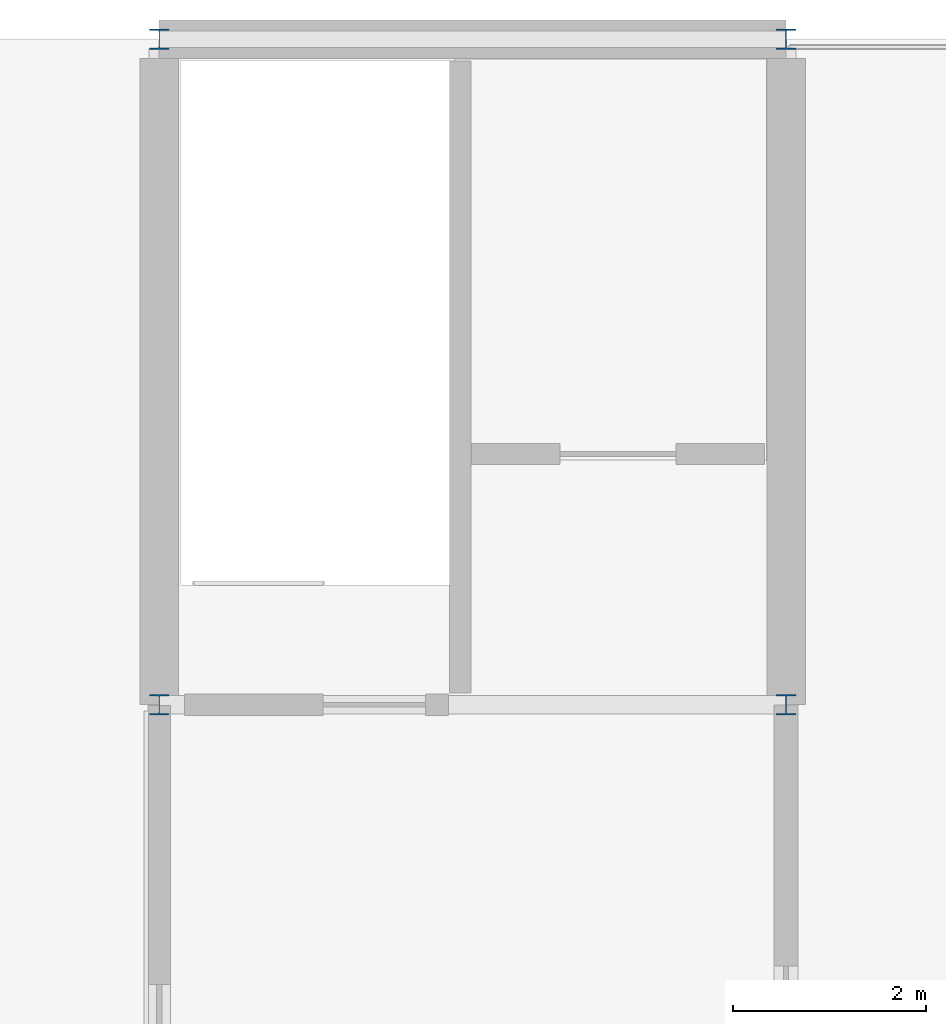
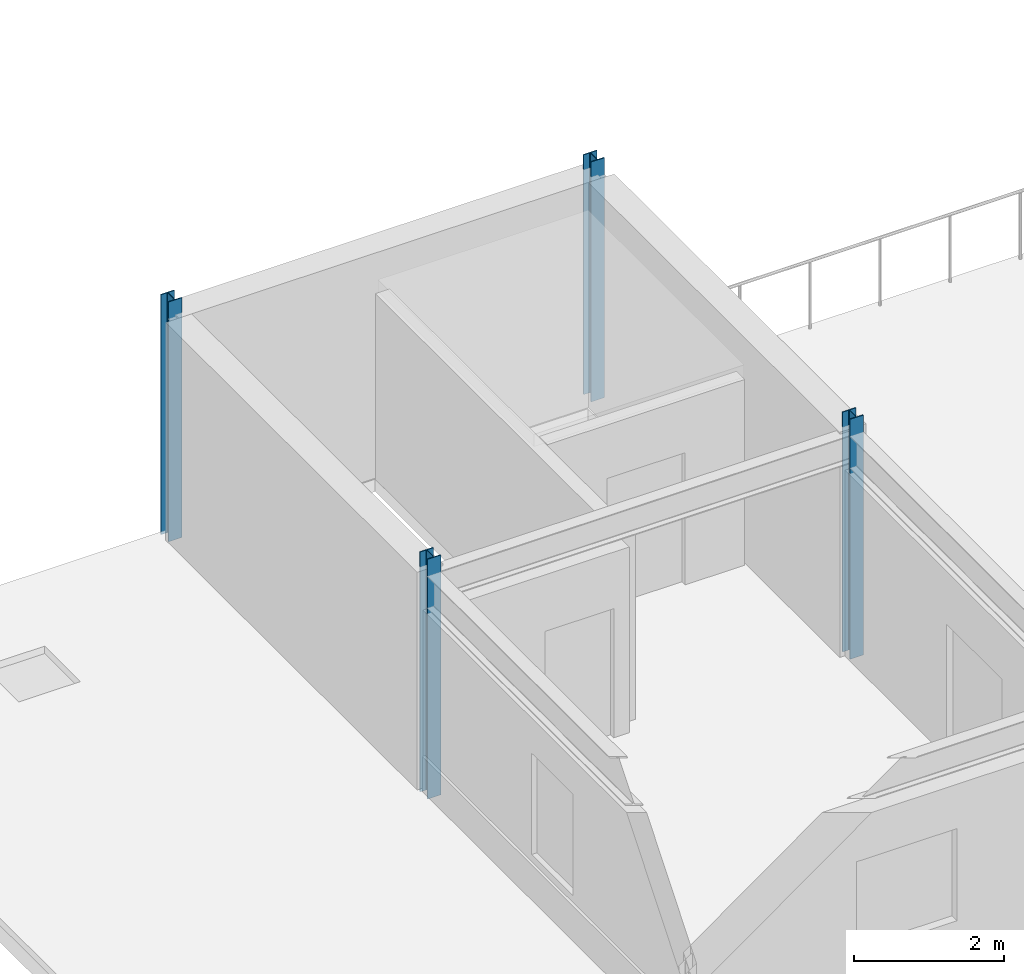
# One storey, part 6 of 26: 4 columns.
"""IFC4 building model written with IfcOpenShell, lengths in metres."""

from ifc_helpers import new_model, si_unit, direction, frame, origin, origin_2d, place, context, subcontext, project, spatial, i_section, extrude, material, material_profile, profile_set, type_object, element, save


model = new_model("IFC4")

# Units and contexts
model_context = context("Model", 3, precision=1e-05, world=origin(), true_north=direction((0.0, 1.0)))
body_context = subcontext(model_context, "Body", "Model", "MODEL_VIEW")
ifc_project = project(units=[si_unit("LENGTHUNIT", "METRE"), si_unit("AREAUNIT", "SQUARE_METRE"), si_unit("VOLUMEUNIT", "CUBIC_METRE"), si_unit("PLANEANGLEUNIT", "RADIAN"), si_unit("MASSUNIT", "GRAM", prefix="KILO")], contexts=[model_context])

# Site, building, storey
site_placement = place(None, origin())
site = spatial("IfcSite", under=ifc_project, at=site_placement, CompositionType="ELEMENT")
building_placement = place(site_placement, origin())
building = spatial("IfcBuilding", under=site, at=building_placement, Name="Trelmorton Wharf Fire Station", CompositionType="ELEMENT")
storey_placement = place(building_placement, frame((0.0, 0.0, 17.39990234375)))
storey = spatial("IfcBuildingStorey", under=building, at=storey_placement, Name="L04", CompositionType="ELEMENT", Elevation=17.39990234375)

# Columns
ifc_material = material(Name="Steel Grade 350", Category="steel")
ifc_material_profile = material_profile(ifc_material, i_section(OverallWidth=0.205078125, OverallDepth=0.2099609375, WebThickness=0.00927734375, FlangeThickness=0.01416015625, FilletRadius=0.011474609375, at=origin_2d()), Name="200UC59.5")
ifc_profile_set = profile_set([ifc_material_profile], Name="Steel Grade 350")
column_type = type_object("IfcColumnType", Name="COL_200UC60", PredefinedType="COLUMN", material=ifc_profile_set)
for number, where, z_axis, x_axis, name in (
    (1, (110.5, 74.10009765625, 0.0), (0.0, 0.0, 1.0), (1.0, 0.0, 0.0), "COL-L04-0717"),
    (2, (110.5, 81.0, 0.0), (0.0, 0.0, 1.0), (1.0, 0.0, 0.0), "COL-L04-0718"),
    (3, (117.0, 74.10009765625, 0.0), (0.0, 0.0, 1.0), (1.0, 0.0, 0.0), "COL-L04-0724"),
    (4, (117.0, 81.0, 0.0), (0.0, 0.0, 1.0), (1.0, 0.0, 0.0), "COL-L04-0725"),
):
    element("IfcColumn", number, at=place(storey_placement, frame(where, z_axis=z_axis, x_axis=x_axis)), inside=storey, type_object=column_type, Name=name, PredefinedType="COLUMN", context=body_context, shape_type="SweptSolid", body=[
        extrude(i_section(OverallWidth=0.205078125, OverallDepth=0.2099609375, WebThickness=0.00927734375, FlangeThickness=0.01416015625, FilletRadius=0.011474609375, at=origin_2d()), origin(), (0.0, 0.0, 1.0), 3.900146484375),
    ])

save(model, "model.ifc")
